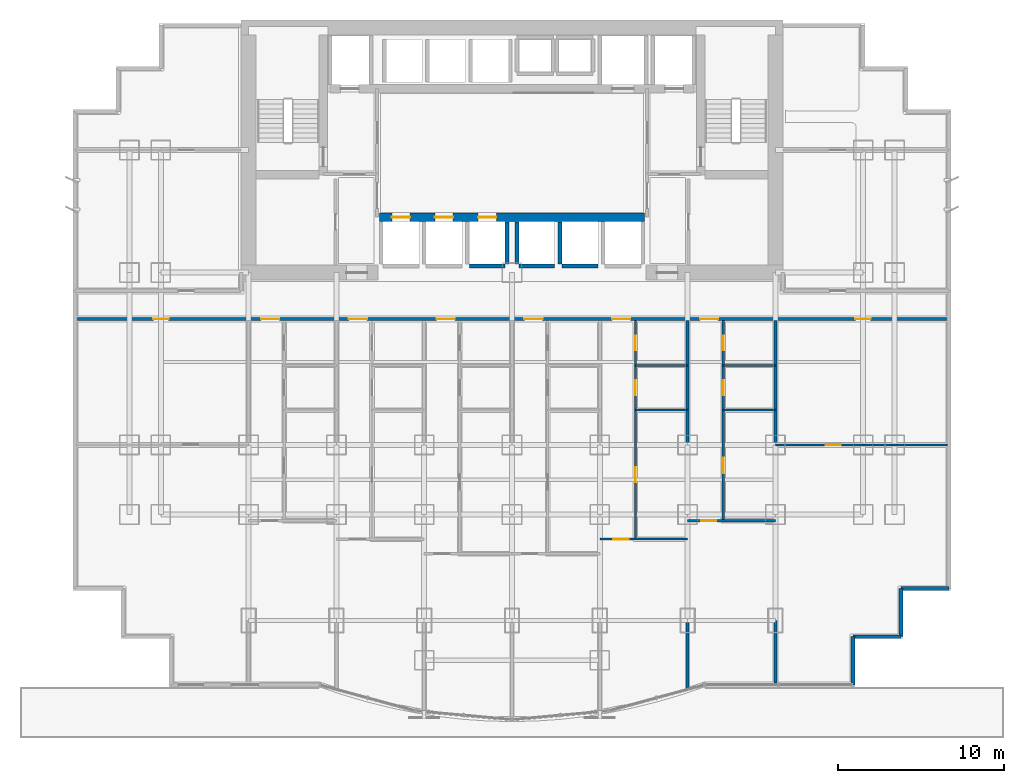
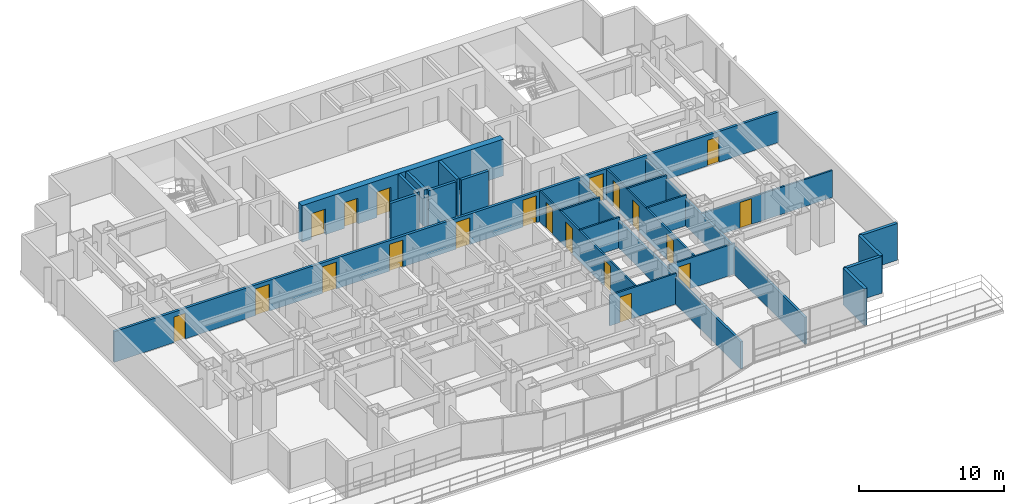
# One storey, part 6 of 11: 23 walls, 20 doors, 20 openings.
"""IFC4 building model written with IfcOpenShell, lengths in metres."""

from ifc_helpers import new_model, si_unit, direction, frame, frame_2d, origin, place, context, subcontext, project, spatial, rectangle, extrude, material, layer, layer_set, type_object, element, fill, save


model = new_model("IFC4")

# Units and contexts
model_context = context("Model", 3, precision=1e-05, world=origin(), true_north=direction((0.0, 1.0)))
body_context = subcontext(model_context, "Body", "Model", "MODEL_VIEW")
ifc_project = project(units=[si_unit("LENGTHUNIT", "METRE"), si_unit("AREAUNIT", "SQUARE_METRE"), si_unit("VOLUMEUNIT", "CUBIC_METRE"), si_unit("PLANEANGLEUNIT", "RADIAN"), si_unit("MASSUNIT", "GRAM", prefix="KILO")], contexts=[model_context])

# Site, building, storey
site_placement = place(None, origin())
site = spatial("IfcSite", under=ifc_project, at=site_placement, CompositionType="ELEMENT")
building_placement = place(site_placement, origin())
building = spatial("IfcBuilding", under=site, at=building_placement, Name="Qianlan Lanfeng Residences", CompositionType="ELEMENT")
storey_placement = place(building_placement, frame((0.0, 0.0, 24.199951171875)))
storey = spatial("IfcBuildingStorey", under=building, at=storey_placement, Name="L05", CompositionType="ELEMENT", Elevation=24.199951171875)

# Wall, openings, doors
ifc_material_1 = material(Name="Concrete C70", Category="concrete")
ifc_layer_1 = layer(ifc_material_1, 0.5)
ifc_layer_set_1 = layer_set([ifc_layer_1], Name="Concrete C70")
wall_type_1 = type_object("IfcWallType", Name="CW-RC-500", PredefinedType="SHEAR", material=ifc_layer_set_1)
wall_1_placement = place(storey_placement, frame((18.5, 28.550048828125, 0.0), z_axis=(0.0, 0.0, 1.0), x_axis=(1.0, 0.0, 0.0)))
wall_1 = element("IfcWall", 1, at=wall_1_placement, inside=storey, type_object=wall_type_1, Name="L05 Core Shear Wall LBS", PredefinedType="SHEAR", context=body_context, shape_type="SweptSolid", body=[
    extrude(rectangle(XDim=16.0, YDim=0.5, at=frame_2d((8.0, 0.0))), origin(), (0.0, 0.0, 1.0), 3.080078125),
])
opening_1_placement = place(wall_1_placement, frame((0.75, 0.0, 0.0)))
opening_1 = element("IfcOpeningElement", 2, at=opening_1_placement, cuts=wall_1, Name="Opening L05-LD-PL-L1", PredefinedType="OPENING", context=body_context, shape_type="SweptSolid", body=[
    extrude(rectangle(XDim=1.10009765625, YDim=2.14990234375, at=frame_2d((0.550048828125, 1.074951171875))), frame((0.0, 0.260009765625, 0.0), z_axis=(0.0, -1.0, 0.0), x_axis=(1.0, 0.0, 0.0)), (0.0, 0.0, 1.0), 0.52001953125),
])
opening_2_placement = place(wall_1_placement, frame((3.35009765625, 0.0, 0.0)))
opening_2 = element("IfcOpeningElement", 3, at=opening_2_placement, cuts=wall_1, Name="Opening L05-LD-PL-L2", PredefinedType="OPENING", context=body_context, shape_type="SweptSolid", body=[
    extrude(rectangle(XDim=1.10009765625, YDim=2.14990234375, at=frame_2d((0.550048828125, 1.074951171875))), frame((0.0, 0.260009765625, 0.0), z_axis=(0.0, -1.0, 0.0), x_axis=(1.0, 0.0, 0.0)), (0.0, 0.0, 1.0), 0.52001953125),
])
opening_3_placement = place(wall_1_placement, frame((5.949951171875, 0.0, 0.0)))
opening_3 = element("IfcOpeningElement", 4, at=opening_3_placement, cuts=wall_1, Name="Opening L05-LD-PL-L3", PredefinedType="OPENING", context=body_context, shape_type="SweptSolid", body=[
    extrude(rectangle(XDim=1.10009765625, YDim=2.14990234375, at=frame_2d((0.550048828125, 1.074951171875))), frame((0.0, 0.260009765625, 0.0), z_axis=(0.0, -1.0, 0.0), x_axis=(1.0, 0.0, 0.0)), (0.0, 0.0, 1.0), 0.52001953125),
])
ifc_material_2 = material(Name="Brushed Stainless Steel Sliding Lift Door", Category="steel")
door_type_1 = type_object("IfcDoorType", Name="LD-01", OperationType="NOTDEFINED", PredefinedType="DOOR", material=ifc_material_2)
door_1_placement = place(opening_1_placement, origin())
door_1 = element("IfcDoor", 5, at=door_1_placement, inside=storey, type_object=door_type_1, Name="L05 Elevator PL-L1 Sliding Landing Door", OperationType="DOUBLE_DOOR_SLIDING", OverallHeight=2.14990234375, OverallWidth=1.10009765625, PredefinedType="DOOR", context=body_context, shape_type="SweptSolid", body=[
    extrude(rectangle(XDim=1.10009765625, YDim=2.14990234375, at=frame_2d((0.550048828125, 1.074951171875))), frame((0.0, 0.02490234375, 0.0), z_axis=(0.0, -1.0, 0.0), x_axis=(1.0, 0.0, 0.0)), (0.0, 0.0, 1.0), 0.050048828125),
])
fill(opening_1, door_1)
door_2_placement = place(opening_2_placement, origin())
door_2 = element("IfcDoor", 6, at=door_2_placement, inside=storey, type_object=door_type_1, Name="L05 Elevator PL-L2 Sliding Landing Door", OperationType="DOUBLE_DOOR_SLIDING", OverallHeight=2.14990234375, OverallWidth=1.10009765625, PredefinedType="DOOR", context=body_context, shape_type="SweptSolid", body=[
    extrude(rectangle(XDim=1.10009765625, YDim=2.14990234375, at=frame_2d((0.550048828125, 1.074951171875))), frame((0.0, 0.02490234375, 0.0), z_axis=(0.0, -1.0, 0.0), x_axis=(1.0, 0.0, 0.0)), (0.0, 0.0, 1.0), 0.050048828125),
])
fill(opening_2, door_2)
door_3_placement = place(opening_3_placement, origin())
door_3 = element("IfcDoor", 7, at=door_3_placement, inside=storey, type_object=door_type_1, Name="L05 Elevator PL-L3 Sliding Landing Door", OperationType="DOUBLE_DOOR_SLIDING", OverallHeight=2.14990234375, OverallWidth=1.10009765625, PredefinedType="DOOR", context=body_context, shape_type="SweptSolid", body=[
    extrude(rectangle(XDim=1.10009765625, YDim=2.14990234375, at=frame_2d((0.550048828125, 1.074951171875))), frame((0.0, 0.02490234375, 0.0), z_axis=(0.0, -1.0, 0.0), x_axis=(1.0, 0.0, 0.0)), (0.0, 0.0, 1.0), 0.050048828125),
])
fill(opening_3, door_3)

# Walls
ifc_material_3 = material(Name="Concrete C42", Category="concrete")
ifc_layer_2 = layer(ifc_material_3, 0.239990234375)
ifc_layer_set_2 = layer_set([ifc_layer_2], Name="Concrete C42")
wall_type_2 = type_object("IfcWallType", Name="EW-240", PredefinedType="SOLIDWALL", material=ifc_layer_set_2)
for number, where, z_axis, x_axis, name in (
    (8, (47.080078125, 0.320068359375, 0.0), (0.0, 0.0, 1.0), (0.0, 1.0, 0.0), "L05 Exterior Facade Spandrel Wall 6"),
    (9, (47.080078125, 3.219970703125, 0.0), (0.0, 0.0, 1.0), (1.0, 0.0, 0.0), "L05 Exterior Facade Spandrel Wall 7"),
):
    element("IfcWall", number, at=place(storey_placement, frame(where, z_axis=z_axis, x_axis=x_axis)), inside=storey, type_object=wall_type_2, Name=name, PredefinedType="SOLIDWALL", context=body_context, shape_type="SweptSolid", body=[
        extrude(rectangle(XDim=2.89990234375, YDim=0.239990234375, at=frame_2d((1.449951171875, 0.0))), origin(), (0.0, 0.0, 1.0), 3.080078125),
    ])
wall_2_placement = place(storey_placement, frame((49.97998046875, 3.219970703125, 0.0), z_axis=(0.0, 0.0, 1.0), x_axis=(0.0, 1.0, 0.0)))
element("IfcWall", 10, at=wall_2_placement, inside=storey, type_object=wall_type_2, Name="L05 Exterior Facade Spandrel Wall 8", PredefinedType="SOLIDWALL", context=body_context, shape_type="SweptSolid", body=[
    extrude(rectangle(XDim=2.900146484375, YDim=0.239990234375, at=frame_2d((1.4501953125, 0.0))), origin(), (0.0, 0.0, 1.0), 3.080078125),
])
wall_3_placement = place(storey_placement, frame((49.97998046875, 6.1201171875, 0.0), z_axis=(0.0, 0.0, 1.0), x_axis=(1.0, 0.0, 0.0)))
element("IfcWall", 11, at=wall_3_placement, inside=storey, type_object=wall_type_2, Name="L05 Exterior Facade Spandrel Wall 9", PredefinedType="SOLIDWALL", context=body_context, shape_type="SweptSolid", body=[
    extrude(rectangle(XDim=2.89990234375, YDim=0.239990234375, at=frame_2d((1.449951171875, 0.0))), origin(), (0.0, 0.0, 1.0), 3.080078125),
])

# Wall, opening, door
ifc_material_4 = material(Name="Moisture-Resistant Gypsum Partition 135 mm")
ifc_layer_3 = layer(ifc_material_4, 0.135009765625)
ifc_layer_set_3 = layer_set([ifc_layer_3], Name="Moisture-Resistant Gypsum Partition 135 mm")
wall_type_3 = type_object("IfcWallType", Name="PW-135", PredefinedType="PARTITIONING", material=ifc_layer_set_3)
wall_4_placement = place(storey_placement, frame((31.800048828125, 9.113037109375, 0.0), z_axis=(0.0, 0.0, 1.0), x_axis=(1.0, 0.0, 0.0)))
wall_4 = element("IfcWall", 12, at=wall_4_placement, inside=storey, type_object=wall_type_3, Name="L05 U05 Living Divider", PredefinedType="PARTITIONING", context=body_context, shape_type="SweptSolid", body=[
    extrude(rectangle(XDim=5.300048828125, YDim=0.135009765625, at=frame_2d((2.64990234375, 0.0))), origin(), (0.0, 0.0, 1.0), 2.570068359375),
])
opening_4_placement = place(wall_4_placement, frame((0.81494140625, 0.0, 0.0)))
opening_4 = element("IfcOpeningElement", 13, at=opening_4_placement, cuts=wall_4, Name="Opening L05-D34", PredefinedType="OPENING", context=body_context, shape_type="SweptSolid", body=[
    extrude(rectangle(XDim=0.919921875, YDim=2.14990234375, at=frame_2d((0.4599609375, 1.074951171875))), frame((0.0, 0.07763671875, 0.0), z_axis=(0.0, -1.0, 0.0), x_axis=(1.0, 0.0, 0.0)), (0.0, 0.0, 1.0), 0.155029296875),
])
ifc_material_5 = material(Name="Glazed Timber Kitchen/Study Door", Category="wood")
door_type_2 = type_object("IfcDoorType", Name="DT-INT", OperationType="NOTDEFINED", PredefinedType="DOOR", material=ifc_material_5)
door_4_placement = place(opening_4_placement, origin())
door_4 = element("IfcDoor", 14, at=door_4_placement, inside=storey, type_object=door_type_2, Name="L05 U05 Living Passage Door L05-D34 (DT-INT)", OperationType="SINGLE_SWING_LEFT", OverallHeight=2.14990234375, OverallWidth=0.919921875, PredefinedType="DOOR", context=body_context, shape_type="SweptSolid", body=[
    extrude(rectangle(XDim=0.919921875, YDim=2.14990234375, at=frame_2d((0.4599609375, 1.074951171875))), frame((0.0, 0.02490234375, 0.0), z_axis=(0.0, -1.0, 0.0), x_axis=(1.0, 0.0, 0.0)), (0.0, 0.0, 1.0), 0.050048828125),
])
fill(opening_4, door_4)

# Wall, openings, doors
wall_5_placement = place(storey_placement, frame((33.949951171875, 9.113037109375, 0.0), z_axis=(0.0, 0.0, 1.0), x_axis=(0.0, 1.0, 0.0)))
wall_5 = element("IfcWall", 15, at=wall_5_placement, inside=storey, type_object=wall_type_3, Name="L05 U05 Entry Hall Spine", PredefinedType="PARTITIONING", context=body_context, shape_type="SweptSolid", body=[
    extrude(rectangle(XDim=13.18701171875, YDim=0.135009765625, at=frame_2d((6.593505859375, 0.0))), origin(), (0.0, 0.0, 1.0), 2.570068359375),
])
opening_5_placement = place(wall_5_placement, frame((3.43310546875, 0.0, 0.0)))
opening_5 = element("IfcOpeningElement", 16, at=opening_5_placement, cuts=wall_5, Name="Opening L05-D35", PredefinedType="OPENING", context=body_context, shape_type="SweptSolid", body=[
    extrude(rectangle(XDim=0.919921875, YDim=2.14990234375, at=frame_2d((0.4599609375, 1.074951171875))), frame((0.0, 0.07763671875, 0.0), z_axis=(0.0, -1.0, 0.0), x_axis=(1.0, 0.0, 0.0)), (0.0, 0.0, 1.0), 0.155029296875),
])
opening_6_placement = place(wall_5_placement, frame((8.677001953125, 0.0, 0.0)))
opening_6 = element("IfcOpeningElement", 17, at=opening_6_placement, cuts=wall_5, Name="Opening L05-D36", PredefinedType="OPENING", context=body_context, shape_type="SweptSolid", body=[
    extrude(rectangle(XDim=0.919921875, YDim=2.14990234375, at=frame_2d((0.4599609375, 1.074951171875))), frame((0.0, 0.07763671875, 0.0), z_axis=(0.0, -1.0, 0.0), x_axis=(1.0, 0.0, 0.0)), (0.0, 0.0, 1.0), 0.155029296875),
])
opening_7_placement = place(wall_5_placement, frame((11.386962890625, 0.0, 0.0)))
opening_7 = element("IfcOpeningElement", 18, at=opening_7_placement, cuts=wall_5, Name="Opening L05-D37", PredefinedType="OPENING", context=body_context, shape_type="SweptSolid", body=[
    extrude(rectangle(XDim=0.89990234375, YDim=2.14990234375, at=frame_2d((0.449951171875, 1.074951171875))), frame((0.0, 0.07763671875, 0.0), z_axis=(0.0, -1.0, 0.0), x_axis=(1.0, 0.0, 0.0)), (0.0, 0.0, 1.0), 0.155029296875),
])
door_5_placement = place(opening_5_placement, origin())
door_5 = element("IfcDoor", 19, at=door_5_placement, inside=storey, type_object=door_type_2, Name="L05 U05 Study Door L05-D35 (DT-INT)", OperationType="SINGLE_SWING_RIGHT", OverallHeight=2.14990234375, OverallWidth=0.919921875, PredefinedType="DOOR", context=body_context, shape_type="SweptSolid", body=[
    extrude(rectangle(XDim=0.919921875, YDim=2.14990234375, at=frame_2d((0.4599609375, 1.074951171875))), frame((0.0, 0.02490234375, 0.0), z_axis=(0.0, -1.0, 0.0), x_axis=(1.0, 0.0, 0.0)), (0.0, 0.0, 1.0), 0.050048828125),
])
fill(opening_5, door_5)
door_6_placement = place(opening_6_placement, origin())
door_6 = element("IfcDoor", 20, at=door_6_placement, inside=storey, type_object=door_type_2, Name="L05 U05 Kitchen Door L05-D36 (DT-INT)", OperationType="SINGLE_SWING_LEFT", OverallHeight=2.14990234375, OverallWidth=0.919921875, PredefinedType="DOOR", context=body_context, shape_type="SweptSolid", body=[
    extrude(rectangle(XDim=0.919921875, YDim=2.14990234375, at=frame_2d((0.4599609375, 1.074951171875))), frame((0.0, 0.02490234375, 0.0), z_axis=(0.0, -1.0, 0.0), x_axis=(1.0, 0.0, 0.0)), (0.0, 0.0, 1.0), 0.050048828125),
])
fill(opening_6, door_6)
ifc_material_6 = material(Name="Moisture-Resistant Timber Leaf", Category="wood")
door_type_3 = type_object("IfcDoorType", Name="DT-WC", OperationType="NOTDEFINED", PredefinedType="DOOR", material=ifc_material_6)
door_7_placement = place(opening_7_placement, origin())
door_7 = element("IfcDoor", 21, at=door_7_placement, inside=storey, type_object=door_type_3, Name="L05 U05 Bathroom Door L05-D37 (DT-WC)", OperationType="SINGLE_SWING_RIGHT", OverallHeight=2.14990234375, OverallWidth=0.89990234375, PredefinedType="DOOR", context=body_context, shape_type="SweptSolid", body=[
    extrude(rectangle(XDim=0.89990234375, YDim=2.14990234375, at=frame_2d((0.449951171875, 1.074951171875))), frame((0.0, 0.02490234375, 0.0), z_axis=(0.0, -1.0, 0.0), x_axis=(1.0, 0.0, 0.0)), (0.0, 0.0, 1.0), 0.050048828125),
])
fill(opening_7, door_7)

# Walls
for number, where, z_axis, x_axis, name in (
    (22, (33.949951171875, 16.89990234375, 0.0), (0.0, 0.0, 1.0), (1.0, 0.0, 0.0), "L05 U05 Kitchen South Wall"),
    (23, (33.949951171875, 19.60009765625, 0.0), (0.0, 0.0, 1.0), (1.0, 0.0, 0.0), "L05 U05 Bathroom South Wall"),
):
    element("IfcWall", number, at=place(storey_placement, frame(where, z_axis=z_axis, x_axis=x_axis)), inside=storey, type_object=wall_type_3, Name=name, PredefinedType="PARTITIONING", context=body_context, shape_type="SweptSolid", body=[
        extrude(rectangle(XDim=3.150146484375, YDim=0.135009765625, at=frame_2d((1.5751953125, 0.0))), origin(), (0.0, 0.0, 1.0), 2.570068359375),
    ])

# Wall, opening, door
wall_6_placement = place(storey_placement, frame((37.10009765625, 10.219970703125, 0.0), z_axis=(0.0, 0.0, 1.0), x_axis=(1.0, 0.0, 0.0)))
wall_6 = element("IfcWall", 24, at=wall_6_placement, inside=storey, type_object=wall_type_3, Name="L05 U06 Living Divider", PredefinedType="PARTITIONING", context=body_context, shape_type="SweptSolid", body=[
    extrude(rectangle(XDim=5.2998046875, YDim=0.135009765625, at=frame_2d((2.64990234375, 0.0))), origin(), (0.0, 0.0, 1.0), 2.570068359375),
])
opening_8_placement = place(wall_6_placement, frame((0.81494140625, 0.0, 0.0)))
opening_8 = element("IfcOpeningElement", 25, at=opening_8_placement, cuts=wall_6, Name="Opening L05-D39", PredefinedType="OPENING", context=body_context, shape_type="SweptSolid", body=[
    extrude(rectangle(XDim=0.919921875, YDim=2.14990234375, at=frame_2d((0.4599609375, 1.074951171875))), frame((0.0, 0.07763671875, 0.0), z_axis=(0.0, -1.0, 0.0), x_axis=(1.0, 0.0, 0.0)), (0.0, 0.0, 1.0), 0.155029296875),
])
door_8_placement = place(opening_8_placement, frame((0.919921875, 0.0, 0.0), z_axis=(0.0, 0.0, 1.0), x_axis=(-1.0, 0.0, 0.0)))
door_8 = element("IfcDoor", 26, at=door_8_placement, inside=storey, type_object=door_type_2, Name="L05 U06 Living Passage Door L05-D39 (DT-INT)", OperationType="SINGLE_SWING_LEFT", OverallHeight=2.14990234375, OverallWidth=0.919921875, PredefinedType="DOOR", context=body_context, shape_type="SweptSolid", body=[
    extrude(rectangle(XDim=0.919921875, YDim=2.14990234375, at=frame_2d((0.4599609375, 1.074951171875))), frame((0.0, 0.02490234375, 0.0), z_axis=(0.0, -1.0, 0.0), x_axis=(1.0, 0.0, 0.0)), (0.0, 0.0, 1.0), 0.050048828125),
])
fill(opening_8, door_8)

# Wall, openings, doors
wall_7_placement = place(storey_placement, frame((39.25, 10.219970703125, 0.0), z_axis=(0.0, 0.0, 1.0), x_axis=(0.0, 1.0, 0.0)))
wall_7 = element("IfcWall", 27, at=wall_7_placement, inside=storey, type_object=wall_type_3, Name="L05 U06 Entry Hall Spine", PredefinedType="PARTITIONING", context=body_context, shape_type="SweptSolid", body=[
    extrude(rectangle(XDim=12.080078125, YDim=0.135009765625, at=frame_2d((6.0400390625, 0.0))), origin(), (0.0, 0.0, 1.0), 2.570068359375),
])
opening_9_placement = place(wall_7_placement, frame((2.8798828125, 0.0, 0.0)))
opening_9 = element("IfcOpeningElement", 28, at=opening_9_placement, cuts=wall_7, Name="Opening L05-D40", PredefinedType="OPENING", context=body_context, shape_type="SweptSolid", body=[
    extrude(rectangle(XDim=0.919921875, YDim=2.14990234375, at=frame_2d((0.4599609375, 1.074951171875))), frame((0.0, 0.07763671875, 0.0), z_axis=(0.0, -1.0, 0.0), x_axis=(1.0, 0.0, 0.0)), (0.0, 0.0, 1.0), 0.155029296875),
])
opening_10_placement = place(wall_7_placement, frame((7.570068359375, 0.0, 0.0)))
opening_10 = element("IfcOpeningElement", 29, at=opening_10_placement, cuts=wall_7, Name="Opening L05-D41", PredefinedType="OPENING", context=body_context, shape_type="SweptSolid", body=[
    extrude(rectangle(XDim=0.919921875, YDim=2.14990234375, at=frame_2d((0.4599609375, 1.074951171875))), frame((0.0, 0.07763671875, 0.0), z_axis=(0.0, -1.0, 0.0), x_axis=(1.0, 0.0, 0.0)), (0.0, 0.0, 1.0), 0.155029296875),
])
opening_11_placement = place(wall_7_placement, frame((10.280029296875, 0.0, 0.0)))
opening_11 = element("IfcOpeningElement", 30, at=opening_11_placement, cuts=wall_7, Name="Opening L05-D42", PredefinedType="OPENING", context=body_context, shape_type="SweptSolid", body=[
    extrude(rectangle(XDim=0.89990234375, YDim=2.14990234375, at=frame_2d((0.449951171875, 1.074951171875))), frame((0.0, 0.07763671875, 0.0), z_axis=(0.0, -1.0, 0.0), x_axis=(1.0, 0.0, 0.0)), (0.0, 0.0, 1.0), 0.155029296875),
])
door_9_placement = place(opening_9_placement, origin())
door_9 = element("IfcDoor", 31, at=door_9_placement, inside=storey, type_object=door_type_2, Name="L05 U06 Study Door L05-D40 (DT-INT)", OperationType="SINGLE_SWING_LEFT", OverallHeight=2.14990234375, OverallWidth=0.919921875, PredefinedType="DOOR", context=body_context, shape_type="SweptSolid", body=[
    extrude(rectangle(XDim=0.919921875, YDim=2.14990234375, at=frame_2d((0.4599609375, 1.074951171875))), frame((0.0, 0.02490234375, 0.0), z_axis=(0.0, -1.0, 0.0), x_axis=(1.0, 0.0, 0.0)), (0.0, 0.0, 1.0), 0.050048828125),
])
fill(opening_9, door_9)
door_10_placement = place(opening_10_placement, origin())
door_10 = element("IfcDoor", 32, at=door_10_placement, inside=storey, type_object=door_type_2, Name="L05 U06 Kitchen Door L05-D41 (DT-INT)", OperationType="SINGLE_SWING_RIGHT", OverallHeight=2.14990234375, OverallWidth=0.919921875, PredefinedType="DOOR", context=body_context, shape_type="SweptSolid", body=[
    extrude(rectangle(XDim=0.919921875, YDim=2.14990234375, at=frame_2d((0.4599609375, 1.074951171875))), frame((0.0, 0.02490234375, 0.0), z_axis=(0.0, -1.0, 0.0), x_axis=(1.0, 0.0, 0.0)), (0.0, 0.0, 1.0), 0.050048828125),
])
fill(opening_10, door_10)
door_11_placement = place(opening_11_placement, origin())
door_11 = element("IfcDoor", 33, at=door_11_placement, inside=storey, type_object=door_type_3, Name="L05 U06 Bathroom Door L05-D42 (DT-WC)", OperationType="SINGLE_SWING_LEFT", OverallHeight=2.14990234375, OverallWidth=0.89990234375, PredefinedType="DOOR", context=body_context, shape_type="SweptSolid", body=[
    extrude(rectangle(XDim=0.89990234375, YDim=2.14990234375, at=frame_2d((0.449951171875, 1.074951171875))), frame((0.0, 0.02490234375, 0.0), z_axis=(0.0, -1.0, 0.0), x_axis=(1.0, 0.0, 0.0)), (0.0, 0.0, 1.0), 0.050048828125),
])
fill(opening_11, door_11)

# Walls
for number, where, z_axis, x_axis, name in (
    (34, (39.25, 16.89990234375, 0.0), (0.0, 0.0, 1.0), (1.0, 0.0, 0.0), "L05 U06 Kitchen South Wall"),
    (35, (39.25, 19.60009765625, 0.0), (0.0, 0.0, 1.0), (1.0, 0.0, 0.0), "L05 U06 Bathroom South Wall"),
):
    element("IfcWall", number, at=place(storey_placement, frame(where, z_axis=z_axis, x_axis=x_axis)), inside=storey, type_object=wall_type_3, Name=name, PredefinedType="PARTITIONING", context=body_context, shape_type="SweptSolid", body=[
        extrude(rectangle(XDim=3.14990234375, YDim=0.135009765625, at=frame_2d((1.574951171875, 0.0))), origin(), (0.0, 0.0, 1.0), 2.570068359375),
    ])

# Wall, opening, door
wall_8_placement = place(storey_placement, frame((42.39990234375, 14.800048828125, 0.0), z_axis=(0.0, 0.0, 1.0), x_axis=(1.0, 0.0, 0.0)))
wall_8 = element("IfcWall", 36, at=wall_8_placement, inside=storey, type_object=wall_type_3, Name="L05 SEP Mid Partition", PredefinedType="PARTITIONING", context=body_context, shape_type="SweptSolid", body=[
    extrude(rectangle(XDim=10.380126953125, YDim=0.135009765625, at=frame_2d((5.18994140625, 0.0))), origin(), (0.0, 0.0, 1.0), 2.275146484375),
])
opening_12_placement = place(wall_8_placement, frame((3.030029296875, 0.0, 0.0)))
opening_12 = element("IfcOpeningElement", 37, at=opening_12_placement, cuts=wall_8, Name="Opening L05-D45", PredefinedType="OPENING", context=body_context, shape_type="SweptSolid", body=[
    extrude(rectangle(XDim=0.919921875, YDim=2.14990234375, at=frame_2d((0.4599609375, 1.074951171875))), frame((0.0, 0.07763671875, 0.0), z_axis=(0.0, -1.0, 0.0), x_axis=(1.0, 0.0, 0.0)), (0.0, 0.0, 1.0), 0.155029296875),
])
door_12_placement = place(opening_12_placement, origin())
door_12 = element("IfcDoor", 38, at=door_12_placement, inside=storey, type_object=door_type_2, Name="L05 SEP Inner Door L05-D45 (DT-INT)", OperationType="SINGLE_SWING_RIGHT", OverallHeight=2.14990234375, OverallWidth=0.919921875, PredefinedType="DOOR", context=body_context, shape_type="SweptSolid", body=[
    extrude(rectangle(XDim=0.919921875, YDim=2.14990234375, at=frame_2d((0.4599609375, 1.074951171875))), frame((0.0, 0.02490234375, 0.0), z_axis=(0.0, -1.0, 0.0), x_axis=(1.0, 0.0, 0.0)), (0.0, 0.0, 1.0), 0.050048828125),
])
fill(opening_12, door_12)

# Walls
ifc_material_7 = material(Name="Double-Layer Acoustic Gypsum Stud Wall 180 mm")
ifc_layer_4 = layer(ifc_material_7, 0.179931640625)
ifc_layer_set_4 = layer_set([ifc_layer_4], Name="Double-Layer Acoustic Gypsum Stud Wall 180 mm")
wall_type_4 = type_object("IfcWallType", Name="PW-180", PredefinedType="PARTITIONING", material=ifc_layer_set_4)
wall_9_placement = place(storey_placement, frame((42.39990234375, 0.419921875, 0.0), z_axis=(0.0, 0.0, 1.0), x_axis=(0.0, 1.0, 0.0)))
element("IfcWall", 39, at=wall_9_placement, inside=storey, type_object=wall_type_4, Name="L05 Wing Boundary Party Wall E0", PredefinedType="PARTITIONING", context=body_context, shape_type="SweptSolid", body=[
    extrude(rectangle(XDim=21.880126953125, YDim=0.179931640625, at=frame_2d((10.93994140625, 0.0))), origin(), (0.0, 0.0, 1.0), 2.275146484375),
])
wall_10_placement = place(storey_placement, frame((37.10009765625, 0.076904296875, 0.0), z_axis=(0.0, 0.0, 1.0), x_axis=(0.0, 1.0, 0.0)))
element("IfcWall", 40, at=wall_10_placement, inside=storey, type_object=wall_type_4, Name="L05 Inter-Tenancy Party Wall 6", PredefinedType="PARTITIONING", context=body_context, shape_type="SweptSolid", body=[
    extrude(rectangle(XDim=22.22314453125, YDim=0.179931640625, at=frame_2d((11.111572265625, 0.0))), origin(), (0.0, 0.0, 1.0), 2.275146484375),
])

# Wall, openings, doors
ifc_material_8 = material(Name="Autoclaved Aerated Concrete Blockwork 200 mm", Category="masonry")
ifc_layer_5 = layer(ifc_material_8, 0.199951171875)
ifc_layer_set_5 = layer_set([ifc_layer_5], Name="Autoclaved Aerated Concrete Blockwork 200 mm")
wall_type_5 = type_object("IfcWallType", Name="PW-200", PredefinedType="PARTITIONING", material=ifc_layer_set_5)
wall_11_placement = place(storey_placement, frame((0.1201171875, 22.39990234375, 0.0), z_axis=(0.0, 0.0, 1.0), x_axis=(1.0, 0.0, 0.0)))
wall_11 = element("IfcWall", 41, at=wall_11_placement, inside=storey, type_object=wall_type_5, Name="L05 Residential Corridor South Fire Wall", PredefinedType="PARTITIONING", context=body_context, shape_type="SweptSolid", body=[
    extrude(rectangle(XDim=52.759765625, YDim=0.199951171875, at=frame_2d((26.3798828125, 0.0))), origin(), (0.0, 0.0, 1.0), 2.570068359375),
])
opening_13_placement = place(wall_11_placement, frame((11.22998046875, 0.0, 0.0)))
opening_13 = element("IfcOpeningElement", 42, at=opening_13_placement, cuts=wall_11, Name="Opening L05-D13", PredefinedType="OPENING", context=body_context, shape_type="SweptSolid", body=[
    extrude(rectangle(XDim=1.10009765625, YDim=2.25, at=frame_2d((0.550048828125, 1.125))), frame((0.0, 0.10986328125, 0.0), z_axis=(0.0, -1.0, 0.0), x_axis=(1.0, 0.0, 0.0)), (0.0, 0.0, 1.0), 0.219970703125),
])
opening_14_placement = place(wall_11_placement, frame((16.530029296875, 0.0, 0.0)))
opening_14 = element("IfcOpeningElement", 43, at=opening_14_placement, cuts=wall_11, Name="Opening L05-D18", PredefinedType="OPENING", context=body_context, shape_type="SweptSolid", body=[
    extrude(rectangle(XDim=1.10009765625, YDim=2.25, at=frame_2d((0.550048828125, 1.125))), frame((0.0, 0.10986328125, 0.0), z_axis=(0.0, -1.0, 0.0), x_axis=(1.0, 0.0, 0.0)), (0.0, 0.0, 1.0), 0.219970703125),
])
opening_15_placement = place(wall_11_placement, frame((21.830078125, 0.0, 0.0)))
opening_15 = element("IfcOpeningElement", 44, at=opening_15_placement, cuts=wall_11, Name="Opening L05-D23", PredefinedType="OPENING", context=body_context, shape_type="SweptSolid", body=[
    extrude(rectangle(XDim=1.10009765625, YDim=2.25, at=frame_2d((0.550048828125, 1.125))), frame((0.0, 0.10986328125, 0.0), z_axis=(0.0, -1.0, 0.0), x_axis=(1.0, 0.0, 0.0)), (0.0, 0.0, 1.0), 0.219970703125),
])
opening_16_placement = place(wall_11_placement, frame((27.1298828125, 0.0, 0.0)))
opening_16 = element("IfcOpeningElement", 45, at=opening_16_placement, cuts=wall_11, Name="Opening L05-D28", PredefinedType="OPENING", context=body_context, shape_type="SweptSolid", body=[
    extrude(rectangle(XDim=1.10009765625, YDim=2.25, at=frame_2d((0.550048828125, 1.125))), frame((0.0, 0.10986328125, 0.0), z_axis=(0.0, -1.0, 0.0), x_axis=(1.0, 0.0, 0.0)), (0.0, 0.0, 1.0), 0.219970703125),
])
opening_17_placement = place(wall_11_placement, frame((32.429931640625, 0.0, 0.0)))
opening_17 = element("IfcOpeningElement", 46, at=opening_17_placement, cuts=wall_11, Name="Opening L05-D33", PredefinedType="OPENING", context=body_context, shape_type="SweptSolid", body=[
    extrude(rectangle(XDim=1.10009765625, YDim=2.25, at=frame_2d((0.550048828125, 1.125))), frame((0.0, 0.10986328125, 0.0), z_axis=(0.0, -1.0, 0.0), x_axis=(1.0, 0.0, 0.0)), (0.0, 0.0, 1.0), 0.219970703125),
])
opening_18_placement = place(wall_11_placement, frame((37.72998046875, 0.0, 0.0)))
opening_18 = element("IfcOpeningElement", 47, at=opening_18_placement, cuts=wall_11, Name="Opening L05-D38", PredefinedType="OPENING", context=body_context, shape_type="SweptSolid", body=[
    extrude(rectangle(XDim=1.10009765625, YDim=2.25, at=frame_2d((0.550048828125, 1.125))), frame((0.0, 0.10986328125, 0.0), z_axis=(0.0, -1.0, 0.0), x_axis=(1.0, 0.0, 0.0)), (0.0, 0.0, 1.0), 0.219970703125),
])
opening_19_placement = place(wall_11_placement, frame((4.735107421875, 0.0, 0.0)))
opening_19 = element("IfcOpeningElement", 48, at=opening_19_placement, cuts=wall_11, Name="Opening L05-D44", PredefinedType="OPENING", context=body_context, shape_type="SweptSolid", body=[
    extrude(rectangle(XDim=0.919921875, YDim=2.14990234375, at=frame_2d((0.4599609375, 1.074951171875))), frame((0.0, 0.10986328125, 0.0), z_axis=(0.0, -1.0, 0.0), x_axis=(1.0, 0.0, 0.0)), (0.0, 0.0, 1.0), 0.219970703125),
])
opening_20_placement = place(wall_11_placement, frame((47.10498046875, 0.0, 0.0)))
opening_20 = element("IfcOpeningElement", 49, at=opening_20_placement, cuts=wall_11, Name="Opening L05-D46", PredefinedType="OPENING", context=body_context, shape_type="SweptSolid", body=[
    extrude(rectangle(XDim=0.919921875, YDim=2.14990234375, at=frame_2d((0.4599609375, 1.074951171875))), frame((0.0, 0.10986328125, 0.0), z_axis=(0.0, -1.0, 0.0), x_axis=(1.0, 0.0, 0.0)), (0.0, 0.0, 1.0), 0.219970703125),
])
door_13_placement = place(opening_19_placement, origin())
door_13 = element("IfcDoor", 50, at=door_13_placement, inside=storey, type_object=door_type_2, Name="L05 SWP Corridor Door L05-D44 (DT-INT)", OperationType="SINGLE_SWING_LEFT", OverallHeight=2.14990234375, OverallWidth=0.919921875, PredefinedType="DOOR", context=body_context, shape_type="SweptSolid", body=[
    extrude(rectangle(XDim=0.919921875, YDim=2.14990234375, at=frame_2d((0.4599609375, 1.074951171875))), frame((0.0, 0.02490234375, 0.0), z_axis=(0.0, -1.0, 0.0), x_axis=(1.0, 0.0, 0.0)), (0.0, 0.0, 1.0), 0.050048828125),
])
fill(opening_19, door_13)
door_14_placement = place(opening_20_placement, origin())
door_14 = element("IfcDoor", 51, at=door_14_placement, inside=storey, type_object=door_type_2, Name="L05 SEP Corridor Door L05-D46 (DT-INT)", OperationType="SINGLE_SWING_LEFT", OverallHeight=2.14990234375, OverallWidth=0.919921875, PredefinedType="DOOR", context=body_context, shape_type="SweptSolid", body=[
    extrude(rectangle(XDim=0.919921875, YDim=2.14990234375, at=frame_2d((0.4599609375, 1.074951171875))), frame((0.0, 0.02490234375, 0.0), z_axis=(0.0, -1.0, 0.0), x_axis=(1.0, 0.0, 0.0)), (0.0, 0.0, 1.0), 0.050048828125),
])
fill(opening_20, door_14)
ifc_material_9 = material(Name="Solid-Core Oak Veneer Fire Door")
door_type_4 = type_object("IfcDoorType", Name="DT-UNIT", OperationType="NOTDEFINED", PredefinedType="DOOR", material=ifc_material_9)
door_15_placement = place(opening_13_placement, origin())
door_15 = element("IfcDoor", 52, at=door_15_placement, inside=storey, type_object=door_type_4, Name="L05 Apartment U01 Entrance Door L05-D13 (DT-UNIT)", OperationType="SINGLE_SWING_RIGHT", OverallHeight=2.25, OverallWidth=1.10009765625, PredefinedType="DOOR", context=body_context, shape_type="SweptSolid", body=[
    extrude(rectangle(XDim=1.10009765625, YDim=2.25, at=frame_2d((0.550048828125, 1.125))), frame((0.0, 0.02490234375, 0.0), z_axis=(0.0, -1.0, 0.0), x_axis=(1.0, 0.0, 0.0)), (0.0, 0.0, 1.0), 0.050048828125),
])
fill(opening_13, door_15)
door_16_placement = place(opening_14_placement, origin())
door_16 = element("IfcDoor", 53, at=door_16_placement, inside=storey, type_object=door_type_4, Name="L05 Apartment U02 Entrance Door L05-D18 (DT-UNIT)", OperationType="SINGLE_SWING_RIGHT", OverallHeight=2.25, OverallWidth=1.10009765625, PredefinedType="DOOR", context=body_context, shape_type="SweptSolid", body=[
    extrude(rectangle(XDim=1.10009765625, YDim=2.25, at=frame_2d((0.550048828125, 1.125))), frame((0.0, 0.02490234375, 0.0), z_axis=(0.0, -1.0, 0.0), x_axis=(1.0, 0.0, 0.0)), (0.0, 0.0, 1.0), 0.050048828125),
])
fill(opening_14, door_16)
door_17_placement = place(opening_15_placement, origin())
door_17 = element("IfcDoor", 54, at=door_17_placement, inside=storey, type_object=door_type_4, Name="L05 Apartment U03 Entrance Door L05-D23 (DT-UNIT)", OperationType="SINGLE_SWING_RIGHT", OverallHeight=2.25, OverallWidth=1.10009765625, PredefinedType="DOOR", context=body_context, shape_type="SweptSolid", body=[
    extrude(rectangle(XDim=1.10009765625, YDim=2.25, at=frame_2d((0.550048828125, 1.125))), frame((0.0, 0.02490234375, 0.0), z_axis=(0.0, -1.0, 0.0), x_axis=(1.0, 0.0, 0.0)), (0.0, 0.0, 1.0), 0.050048828125),
])
fill(opening_15, door_17)
door_18_placement = place(opening_16_placement, origin())
door_18 = element("IfcDoor", 55, at=door_18_placement, inside=storey, type_object=door_type_4, Name="L05 Apartment U04 Entrance Door L05-D28 (DT-UNIT)", OperationType="SINGLE_SWING_RIGHT", OverallHeight=2.25, OverallWidth=1.10009765625, PredefinedType="DOOR", context=body_context, shape_type="SweptSolid", body=[
    extrude(rectangle(XDim=1.10009765625, YDim=2.25, at=frame_2d((0.550048828125, 1.125))), frame((0.0, 0.02490234375, 0.0), z_axis=(0.0, -1.0, 0.0), x_axis=(1.0, 0.0, 0.0)), (0.0, 0.0, 1.0), 0.050048828125),
])
fill(opening_16, door_18)
door_19_placement = place(opening_17_placement, origin())
door_19 = element("IfcDoor", 56, at=door_19_placement, inside=storey, type_object=door_type_4, Name="L05 Apartment U05 Entrance Door L05-D33 (DT-UNIT)", OperationType="SINGLE_SWING_RIGHT", OverallHeight=2.25, OverallWidth=1.10009765625, PredefinedType="DOOR", context=body_context, shape_type="SweptSolid", body=[
    extrude(rectangle(XDim=1.10009765625, YDim=2.25, at=frame_2d((0.550048828125, 1.125))), frame((0.0, 0.02490234375, 0.0), z_axis=(0.0, -1.0, 0.0), x_axis=(1.0, 0.0, 0.0)), (0.0, 0.0, 1.0), 0.050048828125),
])
fill(opening_17, door_19)
door_20_placement = place(opening_18_placement, origin())
door_20 = element("IfcDoor", 57, at=door_20_placement, inside=storey, type_object=door_type_4, Name="L05 Apartment U06 Entrance Door L05-D38 (DT-UNIT)", OperationType="SINGLE_SWING_RIGHT", OverallHeight=2.25, OverallWidth=1.10009765625, PredefinedType="DOOR", context=body_context, shape_type="SweptSolid", body=[
    extrude(rectangle(XDim=1.10009765625, YDim=2.25, at=frame_2d((0.550048828125, 1.125))), frame((0.0, 0.02490234375, 0.0), z_axis=(0.0, -1.0, 0.0), x_axis=(1.0, 0.0, 0.0)), (0.0, 0.0, 1.0), 0.050048828125),
])
fill(opening_18, door_20)

# Walls
ifc_material_10 = material(Name="Concrete C49", Category="concrete")
ifc_layer_6 = layer(ifc_material_10, 0.219970703125)
ifc_layer_set_6 = layer_set([ifc_layer_6], Name="Concrete C49")
wall_type_6 = type_object("IfcWallType", Name="SHW-220", PredefinedType="SOLIDWALL", material=ifc_layer_set_6)
wall_12_placement = place(storey_placement, frame((26.199951171875, 25.719970703125, 0.0), z_axis=(0.0, 0.0, 1.0), x_axis=(0.0, 1.0, 0.0)))
element("IfcWall", 58, at=wall_12_placement, inside=storey, type_object=wall_type_6, Name="L05 Lift PL-L3 Shaft Wall E", PredefinedType="SOLIDWALL", context=body_context, shape_type="SweptSolid", body=[
    extrude(rectangle(XDim=2.530029296875, YDim=0.219970703125, at=frame_2d((1.26513671875, 0.0))), origin(), (0.0, 0.0, 1.0), 3.080078125),
])
wall_13_placement = place(storey_placement, frame((23.919921875, 25.60009765625, 0.0), z_axis=(0.0, 0.0, 1.0), x_axis=(1.0, 0.0, 0.0)))
element("IfcWall", 59, at=wall_13_placement, inside=storey, type_object=wall_type_6, Name="L05 Lift PL-L3 Shaft Back Wall S", PredefinedType="SOLIDWALL", context=body_context, shape_type="SweptSolid", body=[
    extrude(rectangle(XDim=2.16015625, YDim=0.219970703125, at=frame_2d((1.080078125, 0.0))), origin(), (0.0, 0.0, 1.0), 3.080078125),
])
wall_14_placement = place(storey_placement, frame((26.800048828125, 25.719970703125, 0.0), z_axis=(0.0, 0.0, 1.0), x_axis=(0.0, 1.0, 0.0)))
element("IfcWall", 60, at=wall_14_placement, inside=storey, type_object=wall_type_6, Name="L05 Lift PL-M1 Shaft Wall W", PredefinedType="SOLIDWALL", context=body_context, shape_type="SweptSolid", body=[
    extrude(rectangle(XDim=2.530029296875, YDim=0.219970703125, at=frame_2d((1.26513671875, 0.0))), origin(), (0.0, 0.0, 1.0), 3.080078125),
])
wall_15_placement = place(storey_placement, frame((26.919921875, 25.60009765625, 0.0), z_axis=(0.0, 0.0, 1.0), x_axis=(1.0, 0.0, 0.0)))
element("IfcWall", 61, at=wall_15_placement, inside=storey, type_object=wall_type_6, Name="L05 Lift PL-M1 Shaft Back Wall S", PredefinedType="SOLIDWALL", context=body_context, shape_type="SweptSolid", body=[
    extrude(rectangle(XDim=2.16015625, YDim=0.219970703125, at=frame_2d((1.080078125, 0.0))), origin(), (0.0, 0.0, 1.0), 3.080078125),
])
wall_16_placement = place(storey_placement, frame((29.39990234375, 25.719970703125, 0.0), z_axis=(0.0, 0.0, 1.0), x_axis=(0.0, 1.0, 0.0)))
element("IfcWall", 62, at=wall_16_placement, inside=storey, type_object=wall_type_6, Name="L05 Lift PL-M2 Shaft Wall W", PredefinedType="SOLIDWALL", context=body_context, shape_type="SweptSolid", body=[
    extrude(rectangle(XDim=2.530029296875, YDim=0.219970703125, at=frame_2d((1.26513671875, 0.0))), origin(), (0.0, 0.0, 1.0), 3.080078125),
])
wall_17_placement = place(storey_placement, frame((29.52001953125, 25.60009765625, 0.0), z_axis=(0.0, 0.0, 1.0), x_axis=(1.0, 0.0, 0.0)))
element("IfcWall", 63, at=wall_17_placement, inside=storey, type_object=wall_type_6, Name="L05 Lift PL-M2 Shaft Back Wall S", PredefinedType="SOLIDWALL", context=body_context, shape_type="SweptSolid", body=[
    extrude(rectangle(XDim=2.159912109375, YDim=0.219970703125, at=frame_2d((1.080078125, 0.0))), origin(), (0.0, 0.0, 1.0), 3.080078125),
])

save(model, "model.ifc")
